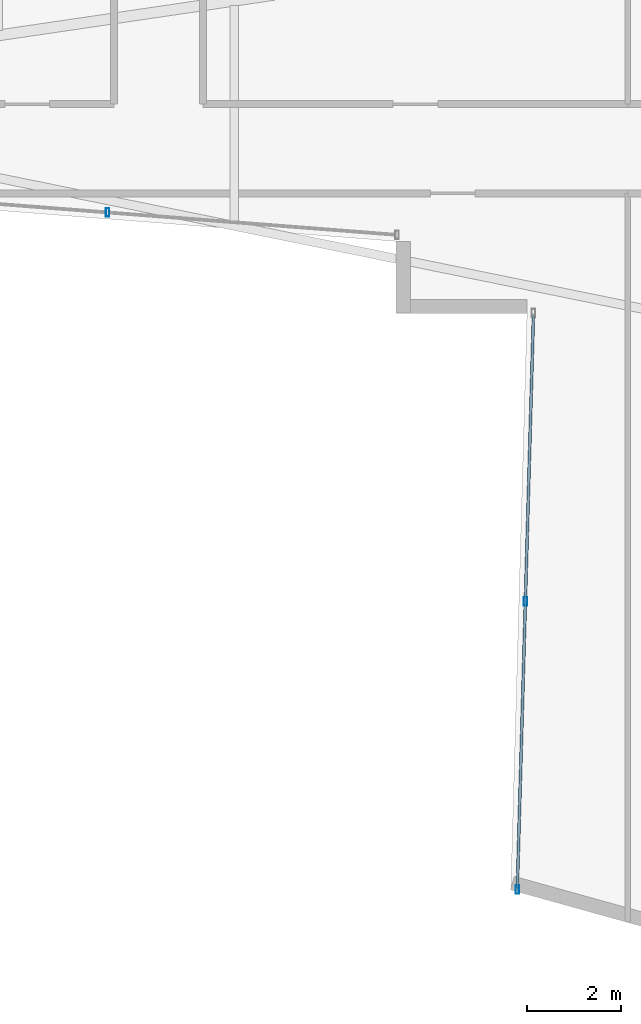
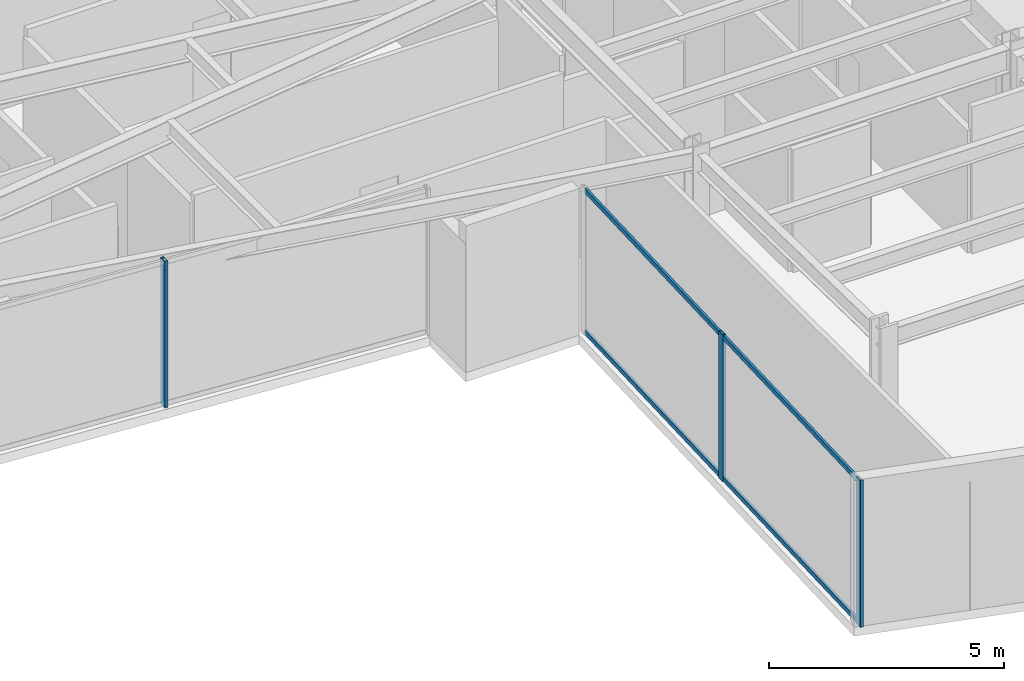
# One storey, part 4 of 30: 5 members, 2 elements without a shape of their own.
"""IFC4 building model written with IfcOpenShell, lengths in metres."""

from ifc_helpers import new_model, si_unit, direction, frame, origin, origin_2d, place, context, subcontext, project, spatial, hollow_rectangle, extrude, material, layer, layer_set, material_profile, profile_set, type_object, element, aggregate, save


model = new_model("IFC4")

# Units and contexts
model_context = context("Model", 3, precision=1e-05, world=origin(), true_north=direction((0.0, 1.0)))
body_context = subcontext(model_context, "Body", "Model", "MODEL_VIEW")
ifc_project = project(units=[si_unit("LENGTHUNIT", "METRE"), si_unit("AREAUNIT", "SQUARE_METRE"), si_unit("VOLUMEUNIT", "CUBIC_METRE"), si_unit("PLANEANGLEUNIT", "RADIAN"), si_unit("MASSUNIT", "GRAM", prefix="KILO")], contexts=[model_context])

# Site, building, storey
site_placement = place(None, origin())
site = spatial("IfcSite", under=ifc_project, at=site_placement, CompositionType="ELEMENT")
building_placement = place(site_placement, origin())
building = spatial("IfcBuilding", under=site, at=building_placement, Name="Veymaron Broadcast Tower", CompositionType="ELEMENT")
storey_placement = place(building_placement, frame((0.0, 0.0, 49.949951171875)))
storey = spatial("IfcBuildingStorey", under=building, at=storey_placement, Name="L10", CompositionType="ELEMENT", Elevation=49.949951171875)

# Curtain wall, member
ifc_material_1 = material(Name="Anodised aluminium AA 6063-T6 and laminated low-E dark glass", Category="aluminium")
ifc_layer = layer(ifc_material_1, 0.179931640625)
ifc_layer_set = layer_set([ifc_layer], Name="Anodised aluminium AA 6063-T6 and laminated low-E dark glass")
curtain_wall_type = type_object("IfcCurtainWallType", Name="CW-SYS-02", PredefinedType="NOTDEFINED", material=ifc_layer_set)
curtain_wall_1_placement = place(storey_placement, origin())
curtain_wall_1 = element("IfcCurtainWall", 1, at=curtain_wall_1_placement, inside=storey, type_object=curtain_wall_type, Name="L10 dark-glass curtain wall CW-L10-E14-1", PredefinedType="NOTDEFINED")
ifc_material_2 = material(Name="Anodised aluminium AA 6063-T6", Category="aluminium")
ifc_material_profile_1 = material_profile(ifc_material_2, hollow_rectangle(XDim=0.074951171875, YDim=0.179931640625, WallThickness=0.0048828125, at=origin_2d()), Name="AL180X75X5")
ifc_profile_set_1 = profile_set([ifc_material_profile_1], Name="Anodised aluminium AA 6063-T6")
member_type_1 = type_object("IfcMemberType", Name="CW-MUL-02", PredefinedType="MULLION", material=ifc_profile_set_1)
member_1_placement = place(storey_placement, frame((19.36279296875, 18.142333984375, 0.0), z_axis=(0.0, 0.0, 1.0), x_axis=(1.0, 0.0, 0.0)))
member_1 = element("IfcMember", 2, at=member_1_placement, type_object=member_type_1, Name="CW-L10-E14-1 mullion 2", PredefinedType="MULLION", context=body_context, shape_type="SweptSolid", body=[
    extrude(hollow_rectangle(XDim=0.074951171875, YDim=0.179931640625, WallThickness=0.0048828125, at=origin_2d()), origin(), (0.0, 0.0, 1.0), 3.81005859375),
])
aggregate(curtain_wall_1, [member_1])

# Curtain wall, members
curtain_wall_2_placement = place(storey_placement, origin())
curtain_wall_2 = element("IfcCurtainWall", 3, at=curtain_wall_2_placement, inside=storey, type_object=curtain_wall_type, Name="L10 dark-glass curtain wall CW-L10-E17-1", PredefinedType="NOTDEFINED")
member_2_placement = place(storey_placement, frame((28.2724609375, 9.84814453125, 0.0), z_axis=(0.0, 0.0, 1.0), x_axis=(1.0, 0.0, 0.0)))
member_2 = element("IfcMember", 4, at=member_2_placement, type_object=member_type_1, Name="CW-L10-E17-1 mullion 1", PredefinedType="MULLION", context=body_context, shape_type="SweptSolid", body=[
    extrude(hollow_rectangle(XDim=0.074951171875, YDim=0.179931640625, WallThickness=0.0048828125, at=origin_2d()), origin(), (0.0, 0.0, 1.0), 3.81005859375),
])
member_3_placement = place(storey_placement, frame((28.099609375, 3.7001953125, 0.0), z_axis=(0.0, 0.0, 1.0), x_axis=(1.0, 0.0, 0.0)))
member_3 = element("IfcMember", 5, at=member_3_placement, type_object=member_type_1, Name="CW-L10-E17-1 mullion 2", PredefinedType="MULLION", context=body_context, shape_type="SweptSolid", body=[
    extrude(hollow_rectangle(XDim=0.074951171875, YDim=0.179931640625, WallThickness=0.0048828125, at=origin_2d()), origin(), (0.0, 0.0, 1.0), 3.81005859375),
])
ifc_material_profile_2 = material_profile(ifc_material_2, hollow_rectangle(XDim=0.06005859375, YDim=0.1201171875, WallThickness=0.00390625, at=origin_2d()), Name="AL120X60X4")
ifc_profile_set_2 = profile_set([ifc_material_profile_2], Name="Anodised aluminium AA 6063-T6")
member_type_2 = type_object("IfcMemberType", Name="CW-TRN-02", PredefinedType="USERDEFINED", material=ifc_profile_set_2)
member_4_placement = place(storey_placement, frame((28.444091796875, 15.946044921875, 0.070068359375), z_axis=(-0.028134189619, -0.999604155341, 0.0), x_axis=(0.999604155341, -0.028134189619, 0.0)))
member_4 = element("IfcMember", 6, at=member_4_placement, type_object=member_type_2, Name="CW-L10-E17-1 transom B", ObjectType="TRANSOM", PredefinedType="USERDEFINED", context=body_context, shape_type="SweptSolid", body=[
    extrude(hollow_rectangle(XDim=0.06005859375, YDim=0.1201171875, WallThickness=0.00390625, at=origin_2d()), origin(), (0.0, 0.0, 1.0), 12.200927734375),
])
member_5_placement = place(storey_placement, frame((28.444091796875, 15.946044921875, 3.739990234375), z_axis=(-0.028134189619, -0.999604155341, 0.0), x_axis=(0.999604155341, -0.028134189619, 0.0)))
member_5 = element("IfcMember", 7, at=member_5_placement, type_object=member_type_2, Name="CW-L10-E17-1 transom T", ObjectType="TRANSOM", PredefinedType="USERDEFINED", context=body_context, shape_type="SweptSolid", body=[
    extrude(hollow_rectangle(XDim=0.06005859375, YDim=0.1201171875, WallThickness=0.00390625, at=origin_2d()), origin(), (0.0, 0.0, 1.0), 12.200927734375),
])
aggregate(curtain_wall_2, [member_2, member_3, member_4, member_5])

save(model, "model.ifc")
